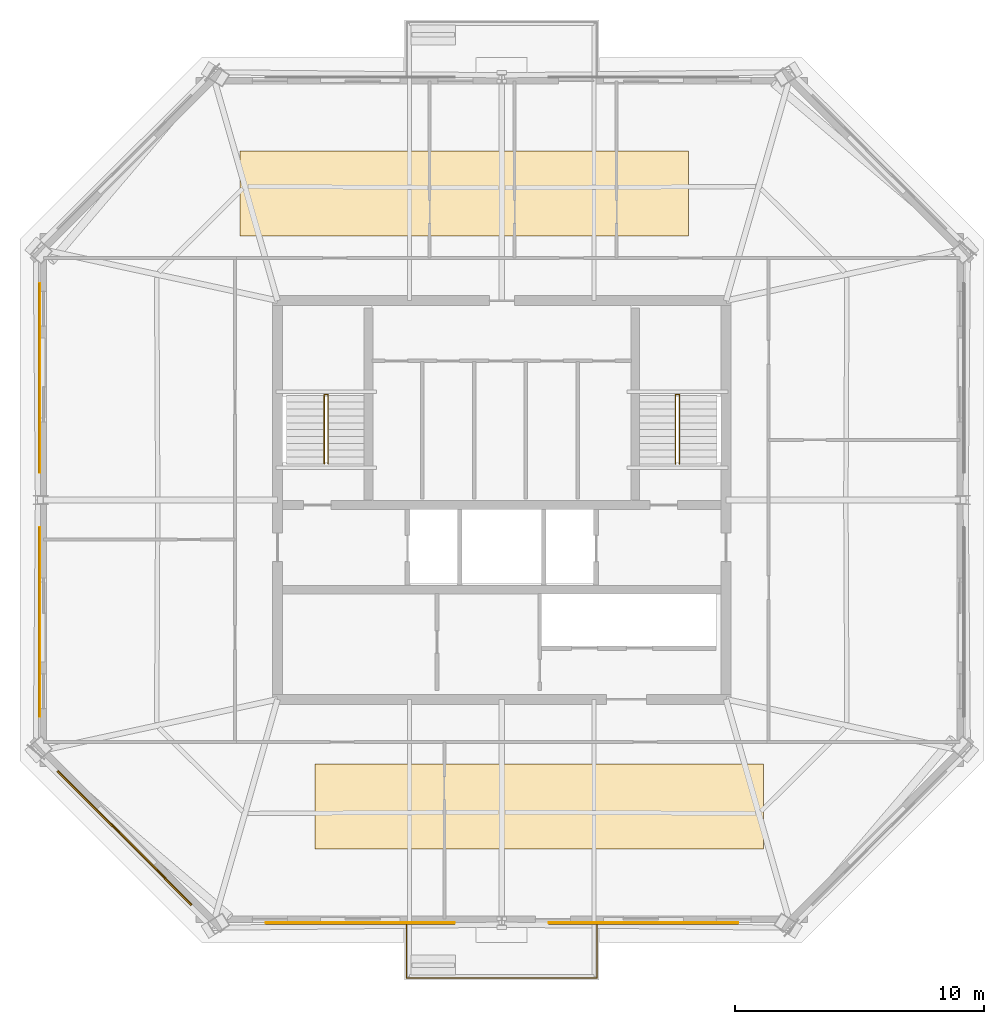
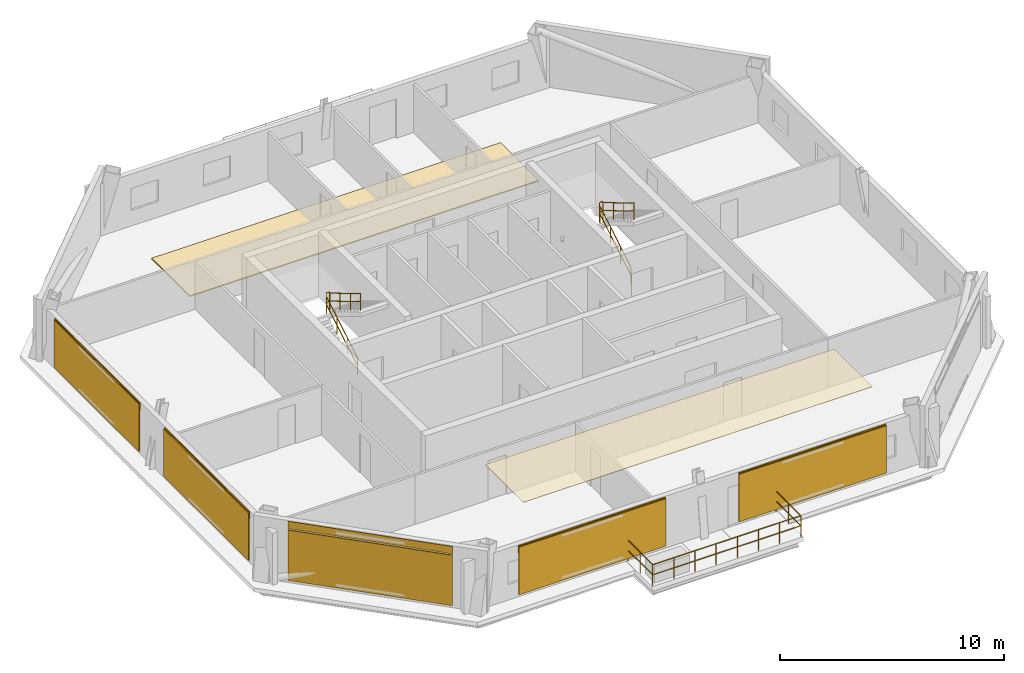
# One storey, part 6 of 7: 7 coverings, 7 railings, 5 shading devices.
"""IFC4 building model written with IfcOpenShell, lengths in metres."""

from ifc_helpers import new_model, si_unit, direction, frame, origin, origin_2d, place, context, subcontext, project, spatial, polyline, rectangle, circle, outline, extrude, material, layer, layer_set, type_object, element, save


model = new_model("IFC4")

# Units and contexts
model_context = context("Model", 3, precision=1e-05, world=origin(), true_north=direction((0.0, 1.0)))
body_context = subcontext(model_context, "Body", "Model", "MODEL_VIEW")
ifc_project = project(units=[si_unit("LENGTHUNIT", "METRE"), si_unit("AREAUNIT", "SQUARE_METRE"), si_unit("VOLUMEUNIT", "CUBIC_METRE"), si_unit("PLANEANGLEUNIT", "RADIAN"), si_unit("MASSUNIT", "GRAM", prefix="KILO")], contexts=[model_context])

# Site, building, storey
site_placement = place(None, origin())
site = spatial("IfcSite", under=ifc_project, at=site_placement, CompositionType="ELEMENT")
building_placement = place(site_placement, origin())
building = spatial("IfcBuilding", under=site, at=building_placement, Name="Caelvoria Tower", CompositionType="ELEMENT")
storey_placement = place(building_placement, frame((0.0, 0.0, 257.39990234375)))
storey = spatial("IfcBuildingStorey", under=building, at=storey_placement, Name="L68", CompositionType="ELEMENT", Elevation=257.39990234375)

# Railing
ifc_material_1 = material(Name="Bronze Anodised Aluminium and Stainless Steel", Category="steel")
railing_type_1 = type_object("IfcRailingType", Name="Exterior Terrace and Balcony Guardrail 1150", PredefinedType="GUARDRAIL", material=ifc_material_1)
railing_1_placement = place(storey_placement, frame((42.179931640625, 15.036376953125, 0.0)))
element("IfcRailing", 1, at=railing_1_placement, inside=storey, type_object=railing_type_1, Name="Tree Balcony Guardrail TB-L68-S", PredefinedType="GUARDRAIL", context=body_context, shape_type="SweptSolid", body=[
    extrude(circle(Radius=0.02392578125, at=origin_2d()), frame((0.0, 0.0, 1.1259765625), z_axis=(0.0, -1.0, 0.0), x_axis=(1.0, 0.0, 0.0)), (0.0, 0.0, 1.0), 2.219970703125),
    extrude(circle(Radius=0.02392578125, at=origin_2d()), frame((0.0, 0.0, 0.574951171875), z_axis=(0.0, -1.0, 0.0), x_axis=(1.0, 0.0, 0.0)), (0.0, 0.0, 1.0), 2.219970703125),
    extrude(circle(Radius=0.02392578125, at=origin_2d()), frame((0.0, -2.219970703125, 1.1259765625), z_axis=(1.0, 0.0, 0.0), x_axis=(0.0, 1.0, 0.0)), (0.0, 0.0, 1.0), 7.64013671875),
    extrude(circle(Radius=0.02392578125, at=origin_2d()), frame((0.0, -2.219970703125, 0.574951171875), z_axis=(1.0, 0.0, 0.0), x_axis=(0.0, 1.0, 0.0)), (0.0, 0.0, 1.0), 7.64013671875),
    extrude(circle(Radius=0.02392578125, at=origin_2d()), frame((7.64013671875, -2.219970703125, 1.1259765625), z_axis=(0.0, 1.0, 0.0), x_axis=(-1.0, 0.0, 0.0)), (0.0, 0.0, 1.0), 2.219970703125),
    extrude(circle(Radius=0.02392578125, at=origin_2d()), frame((7.64013671875, -2.219970703125, 0.574951171875), z_axis=(0.0, 1.0, 0.0), x_axis=(-1.0, 0.0, 0.0)), (0.0, 0.0, 1.0), 2.219970703125),
    extrude(circle(Radius=0.02099609375, at=origin_2d()), origin(), (0.0, 0.0, 1.0), 1.101806640625),
    extrude(circle(Radius=0.02099609375, at=origin_2d()), frame((0.0, -1.10986328125, 0.0)), (0.0, 0.0, 1.0), 1.101806640625),
    extrude(circle(Radius=0.02099609375, at=origin_2d()), frame((0.0, -2.219970703125, 0.0)), (0.0, 0.0, 1.0), 1.101806640625),
    extrude(circle(Radius=0.02099609375, at=origin_2d()), frame((1.091552734375, -2.219970703125, 0.0)), (0.0, 0.0, 1.0), 1.101806640625),
    extrude(circle(Radius=0.02099609375, at=origin_2d()), frame((2.182861328125, -2.219970703125, 0.0)), (0.0, 0.0, 1.0), 1.101806640625),
    extrude(circle(Radius=0.02099609375, at=origin_2d()), frame((3.2744140625, -2.219970703125, 0.0)), (0.0, 0.0, 1.0), 1.101806640625),
    extrude(circle(Radius=0.02099609375, at=origin_2d()), frame((4.36572265625, -2.219970703125, 0.0)), (0.0, 0.0, 1.0), 1.101806640625),
    extrude(circle(Radius=0.02099609375, at=origin_2d()), frame((5.457275390625, -2.219970703125, 0.0)), (0.0, 0.0, 1.0), 1.101806640625),
    extrude(circle(Radius=0.02099609375, at=origin_2d()), frame((6.548583984375, -2.219970703125, 0.0)), (0.0, 0.0, 1.0), 1.101806640625),
    extrude(circle(Radius=0.02099609375, at=origin_2d()), frame((7.64013671875, -2.219970703125, 0.0)), (0.0, 0.0, 1.0), 1.101806640625),
    extrude(circle(Radius=0.02099609375, at=origin_2d()), frame((7.64013671875, -1.10986328125, 0.0)), (0.0, 0.0, 1.0), 1.101806640625),
    extrude(circle(Radius=0.02099609375, at=origin_2d()), frame((7.64013671875, 0.0, 0.0)), (0.0, 0.0, 1.0), 1.101806640625),
])

# Coverings
ifc_material_2 = material(Name="Acoustic Mineral Fibre Tile", Category="gypsum")
ifc_layer_1 = layer(ifc_material_2, 0.02490234375, Name="Acoustic Mineral Fibre Tile")
ifc_layer_set_1 = layer_set([ifc_layer_1], Name="Mineral-Fibre Acoustic Suspended Ceiling 25 - Acoustic Mineral Fibre Tile")
covering_type_1 = type_object("IfcCoveringType", Name="Mineral-Fibre Acoustic Suspended Ceiling 25", PredefinedType="CEILING", material=ifc_layer_set_1)
covering_1_placement = place(storey_placement, frame((0.0, 0.0, 2.650146484375)))
element("IfcCovering", 2, at=covering_1_placement, inside=storey, type_object=covering_type_1, Name="Suspended Acoustic Ceiling L68", PredefinedType="CEILING", context=body_context, shape_type="SweptSolid", body=[
    extrude(outline(polyline([(38.5, 18.0), (56.5, 18.0), (56.5, 21.39990234375), (38.5, 21.39990234375), (38.5, 18.0)])), origin(), (0.0, 0.0, 1.0), 0.02490234375),
])
ifc_material_3 = material(Name="Perforated Architectural Bronze Cladding Screen", Category="bronze")
ifc_layer_2 = layer(ifc_material_3, 0.0400390625, Name="Perforated Architectural Bronze Cladding Screen")
ifc_layer_set_2 = layer_set([ifc_layer_2], Name="Perforated Bronze Louvre Cladding Band 40 - Perforated Architectural Bronze Cladding Screen")
covering_type_2 = type_object("IfcCoveringType", Name="Perforated Bronze Louvre Cladding Band 40", PredefinedType="CLADDING", material=ifc_layer_set_2)
for number, where, z_axis, x_axis, name in (
    (3, (40.31640625, 15.031982421875, 2.412109375), (0.0, 0.0, 1.0), (1.0, 0.0, 0.0), "Perforated Bronze Screen Band L68-E0-00"),
    (4, (51.68359375, 15.031982421875, 2.412109375), (0.0, 0.0, 1.0), (1.0, 0.0, 0.0), "Perforated Bronze Screen Band L68-E0-01"),
    (5, (27.458984375, 36.897216796875, 2.412109375), (0.0, 0.0, 1.0), (0.0, -1.0, 0.0), "Perforated Bronze Screen Band L68-E6-00"),
    (6, (27.458984375, 27.102783203125, 2.412109375), (0.0, 0.0, 1.0), (0.0, -1.0, 0.0), "Perforated Bronze Screen Band L68-E6-01"),
    (7, (30.880615234375, 18.45361328125, 2.955078125), (0.0, 0.0, 1.0), (0.707106781187, -0.707106781187, 0.0), "Perforated Bronze Screen Band L68-E7-00"),
):
    element("IfcCovering", number, at=place(storey_placement, frame(where, z_axis=z_axis, x_axis=x_axis)), inside=storey, type_object=covering_type_2, Name=name, PredefinedType="CLADDING", context=body_context, shape_type="SweptSolid", body=[
        extrude(rectangle(XDim=7.60009765625, YDim=0.0400390625, at=origin_2d()), origin(), (0.0, 0.0, 1.0), 0.39990234375),
    ])

# Shading devices
ifc_material_4 = material(Name="Perforated Architectural Bronze Alloy Panel", Category="bronze")
ifc_layer_3 = layer(ifc_material_4, 0.044921875, Name="Perforated Architectural Bronze Alloy Panel")
ifc_layer_set_3 = layer_set([ifc_layer_3], Name="Perforated Bronze Solar Screen Panel SCREEN - Perforated Architectural Bronze Alloy Panel")
shading_device_type = type_object("IfcShadingDeviceType", Name="Perforated Bronze Solar Screen Panel SCREEN", PredefinedType="USERDEFINED", material=ifc_layer_set_3)
for number, where, z_axis, x_axis, name in (
    (8, (40.31640625, 14.989013671875, 0.16015625), (0.0, 0.0, 1.0), (1.0, 0.0, 0.0), "Perforated Bronze Solar Screen L68-E0-00"),
    (9, (51.68359375, 14.989013671875, 0.16015625), (0.0, 0.0, 1.0), (1.0, 0.0, 0.0), "Perforated Bronze Solar Screen L68-E0-01"),
    (10, (27.416015625, 36.897216796875, 0.16015625), (0.0, 0.0, 1.0), (0.0, -1.0, 0.0), "Perforated Bronze Solar Screen L68-E6-00"),
    (11, (27.416015625, 27.102783203125, 0.16015625), (0.0, 0.0, 1.0), (0.0, -1.0, 0.0), "Perforated Bronze Solar Screen L68-E6-01"),
):
    element("IfcShadingDevice", number, at=place(storey_placement, frame(where, z_axis=z_axis, x_axis=x_axis)), inside=storey, type_object=shading_device_type, Name=name, ObjectType="SCREEN", PredefinedType="USERDEFINED", context=body_context, shape_type="SweptSolid", body=[
        extrude(rectangle(XDim=7.60009765625, YDim=0.044921875, at=origin_2d()), origin(), (0.0, 0.0, 1.0), 2.592041015625),
    ])
shading_device_placement = place(storey_placement, frame((30.850341796875, 18.423095703125, 0.16015625), z_axis=(0.0, 0.0, 1.0), x_axis=(0.707106781187, -0.707106781187, 0.0)))
element("IfcShadingDevice", 12, at=shading_device_placement, inside=storey, type_object=shading_device_type, Name="Perforated Bronze Solar Screen L68-E7-00", ObjectType="SCREEN", PredefinedType="USERDEFINED", context=body_context, shape_type="SweptSolid", body=[
    extrude(rectangle(XDim=7.60009765625, YDim=0.044921875, at=origin_2d()), origin(), (0.0, 0.0, 1.0), 2.75),
])

# Covering
ifc_material_5 = material(Name="Calcium-Sulphate Raised Floor Tile", Category="gypsum")
ifc_layer_4 = layer(ifc_material_5, 0.06005859375, Name="Calcium-Sulphate Raised Floor Tile")
ifc_layer_set_4 = layer_set([ifc_layer_4], Name="Raised Access Office Floor System 120 - Calcium-Sulphate Raised Floor Tile")
covering_type_3 = type_object("IfcCoveringType", Name="Raised Access Office Floor System 120", PredefinedType="FLOORING", material=ifc_layer_set_4)
covering_2_placement = place(storey_placement, origin())
element("IfcCovering", 13, at=covering_2_placement, inside=storey, type_object=covering_type_3, Name="Raised Access Flooring L68", PredefinedType="FLOORING", context=body_context, shape_type="SweptSolid", body=[
    extrude(outline(polyline([(35.5, 42.60009765625), (53.5, 42.60009765625), (53.5, 46.0), (35.5, 46.0), (35.5, 42.60009765625)])), origin(), (0.0, 0.0, 1.0), 0.06005859375),
])

# Railings
ifc_material_6 = material(Name="Brushed Stainless Steel Tube", Category="steel")
railing_type_2 = type_object("IfcRailingType", Name="Stair Tubular Stainless Handrail 920", PredefinedType="HANDRAIL", material=ifc_material_6)
railing_2_placement = place(storey_placement, frame((38.8701171875, 33.449951171875, 0.163818359375)))
element("IfcRailing", 14, at=railing_2_placement, inside=storey, type_object=railing_type_2, Name="ST-01 Flight 1 Handrail L68", PredefinedType="HANDRAIL", context=body_context, shape_type="SweptSolid", body=[
    extrude(circle(Radius=0.02392578125, at=origin_2d()), frame((0.0, 0.0, 0.89599609375), z_axis=(0.0, 0.859385484447, 0.511328259656), x_axis=(-1.0, 0.0, 0.0)), (0.0, 0.0, 1.0), 3.199951171875),
    extrude(circle(Radius=0.02392578125, at=origin_2d()), frame((0.0, 0.0, 0.4599609375), z_axis=(0.0, 0.859385484447, 0.511328259656), x_axis=(-1.0, 0.0, 0.0)), (0.0, 0.0, 1.0), 3.199951171875),
    extrude(circle(Radius=0.02099609375, at=origin_2d()), origin(), (0.0, 0.0, 1.0), 0.871826171875),
    extrude(circle(Radius=0.02099609375, at=origin_2d()), frame((0.0, 0.916748046875, 0.54541015625)), (0.0, 0.0, 1.0), 0.871826171875),
    extrude(circle(Radius=0.02099609375, at=origin_2d()), frame((0.0, 1.833251953125, 1.0908203125)), (0.0, 0.0, 1.0), 0.871826171875),
    extrude(circle(Radius=0.02099609375, at=origin_2d()), frame((0.0, 2.75, 1.63623046875)), (0.0, 0.0, 1.0), 0.871826171875),
])
railing_3_placement = place(storey_placement, frame((39.030029296875, 36.199951171875, 1.963623046875)))
element("IfcRailing", 15, at=railing_3_placement, inside=storey, type_object=railing_type_2, Name="ST-01 Flight 2 Handrail L68", PredefinedType="HANDRAIL", context=body_context, shape_type="SweptSolid", body=[
    extrude(circle(Radius=0.02392578125, at=origin_2d()), frame((0.0, 0.0, 0.89599609375), z_axis=(0.0, -0.859351957796, 0.511384603436), x_axis=(1.0, 0.0, 0.0)), (0.0, 0.0, 1.0), 3.2001953125),
    extrude(circle(Radius=0.02392578125, at=origin_2d()), frame((0.0, 0.0, 0.4599609375), z_axis=(0.0, -0.859351957796, 0.511384603436), x_axis=(1.0, 0.0, 0.0)), (0.0, 0.0, 1.0), 3.2001953125),
    extrude(circle(Radius=0.02099609375, at=origin_2d()), origin(), (0.0, 0.0, 1.0), 0.871826171875),
    extrude(circle(Radius=0.02099609375, at=origin_2d()), frame((0.0, -0.916748046875, 0.54541015625)), (0.0, 0.0, 1.0), 0.871826171875),
    extrude(circle(Radius=0.02099609375, at=origin_2d()), frame((0.0, -1.833251953125, 1.091064453125)), (0.0, 0.0, 1.0), 0.871826171875),
    extrude(circle(Radius=0.02099609375, at=origin_2d()), frame((0.0, -2.75, 1.636474609375)), (0.0, 0.0, 1.0), 0.871826171875),
])
railing_4_placement = place(storey_placement, frame((52.969970703125, 33.449951171875, 0.163818359375)))
element("IfcRailing", 16, at=railing_4_placement, inside=storey, type_object=railing_type_2, Name="ST-02 Flight 1 Handrail L68", PredefinedType="HANDRAIL", context=body_context, shape_type="SweptSolid", body=[
    extrude(circle(Radius=0.02392578125, at=origin_2d()), frame((0.0, 0.0, 0.89599609375), z_axis=(0.0, 0.859385484447, 0.511328259656), x_axis=(-1.0, 0.0, 0.0)), (0.0, 0.0, 1.0), 3.199951171875),
    extrude(circle(Radius=0.02392578125, at=origin_2d()), frame((0.0, 0.0, 0.4599609375), z_axis=(0.0, 0.859385484447, 0.511328259656), x_axis=(-1.0, 0.0, 0.0)), (0.0, 0.0, 1.0), 3.199951171875),
    extrude(circle(Radius=0.02099609375, at=origin_2d()), origin(), (0.0, 0.0, 1.0), 0.871826171875),
    extrude(circle(Radius=0.02099609375, at=origin_2d()), frame((0.0, 0.916748046875, 0.54541015625)), (0.0, 0.0, 1.0), 0.871826171875),
    extrude(circle(Radius=0.02099609375, at=origin_2d()), frame((0.0, 1.833251953125, 1.0908203125)), (0.0, 0.0, 1.0), 0.871826171875),
    extrude(circle(Radius=0.02099609375, at=origin_2d()), frame((0.0, 2.75, 1.63623046875)), (0.0, 0.0, 1.0), 0.871826171875),
])
railing_5_placement = place(storey_placement, frame((53.1298828125, 36.199951171875, 1.963623046875)))
element("IfcRailing", 17, at=railing_5_placement, inside=storey, type_object=railing_type_2, Name="ST-02 Flight 2 Handrail L68", PredefinedType="HANDRAIL", context=body_context, shape_type="SweptSolid", body=[
    extrude(circle(Radius=0.02392578125, at=origin_2d()), frame((0.0, 0.0, 0.89599609375), z_axis=(0.0, -0.859351957796, 0.511384603436), x_axis=(1.0, 0.0, 0.0)), (0.0, 0.0, 1.0), 3.2001953125),
    extrude(circle(Radius=0.02392578125, at=origin_2d()), frame((0.0, 0.0, 0.4599609375), z_axis=(0.0, -0.859351957796, 0.511384603436), x_axis=(1.0, 0.0, 0.0)), (0.0, 0.0, 1.0), 3.2001953125),
    extrude(circle(Radius=0.02099609375, at=origin_2d()), origin(), (0.0, 0.0, 1.0), 0.871826171875),
    extrude(circle(Radius=0.02099609375, at=origin_2d()), frame((0.0, -0.916748046875, 0.54541015625)), (0.0, 0.0, 1.0), 0.871826171875),
    extrude(circle(Radius=0.02099609375, at=origin_2d()), frame((0.0, -1.833251953125, 1.091064453125)), (0.0, 0.0, 1.0), 0.871826171875),
    extrude(circle(Radius=0.02099609375, at=origin_2d()), frame((0.0, -2.75, 1.636474609375)), (0.0, 0.0, 1.0), 0.871826171875),
])
ifc_material_7 = material(Name="Brushed Stainless Steel Guardrail", Category="steel")
railing_type_3 = type_object("IfcRailingType", Name="Stair Well and Ramp Guardrail 1120", PredefinedType="GUARDRAIL", material=ifc_material_7)
for number, where, name in (
    (18, (38.8701171875, 36.239990234375, 1.800048828125), "ST-01 Half-Landing Well Guard L68"),
    (19, (52.969970703125, 36.239990234375, 1.800048828125), "ST-02 Half-Landing Well Guard L68"),
):
    element("IfcRailing", number, at=place(storey_placement, frame(where)), inside=storey, type_object=railing_type_3, Name=name, PredefinedType="GUARDRAIL", context=body_context, shape_type="SweptSolid", body=[
        extrude(circle(Radius=0.02392578125, at=origin_2d()), frame((0.0, 0.0, 1.09619140625), z_axis=(1.0, 0.0, 0.0), x_axis=(0.0, 1.0, 0.0)), (0.0, 0.0, 1.0), 0.159912109375),
        extrude(circle(Radius=0.02392578125, at=origin_2d()), frame((0.0, 0.0, 0.56005859375), z_axis=(1.0, 0.0, 0.0), x_axis=(0.0, 1.0, 0.0)), (0.0, 0.0, 1.0), 0.159912109375),
        extrude(circle(Radius=0.02099609375, at=origin_2d()), origin(), (0.0, 0.0, 1.0), 1.072021484375),
        extrude(circle(Radius=0.02099609375, at=origin_2d()), frame((0.159912109375, 0.0, 0.0)), (0.0, 0.0, 1.0), 1.072021484375),
    ])

save(model, "model.ifc")
